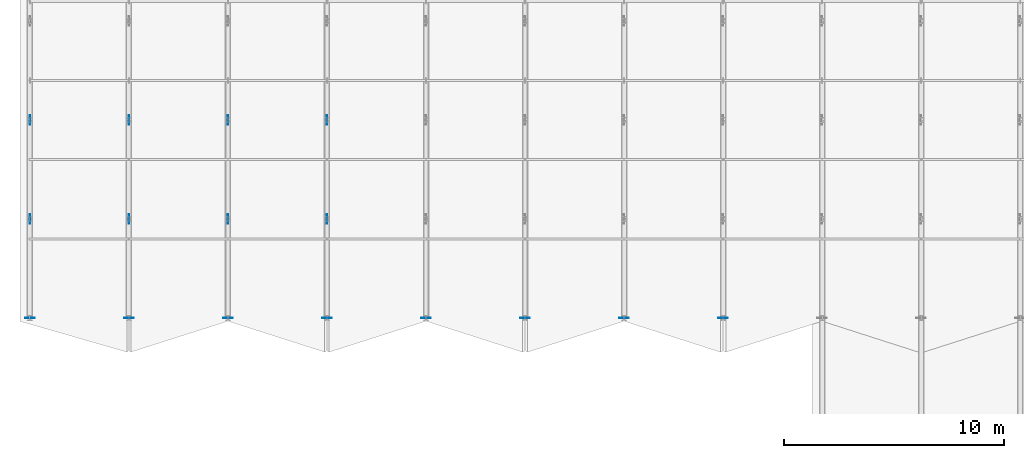
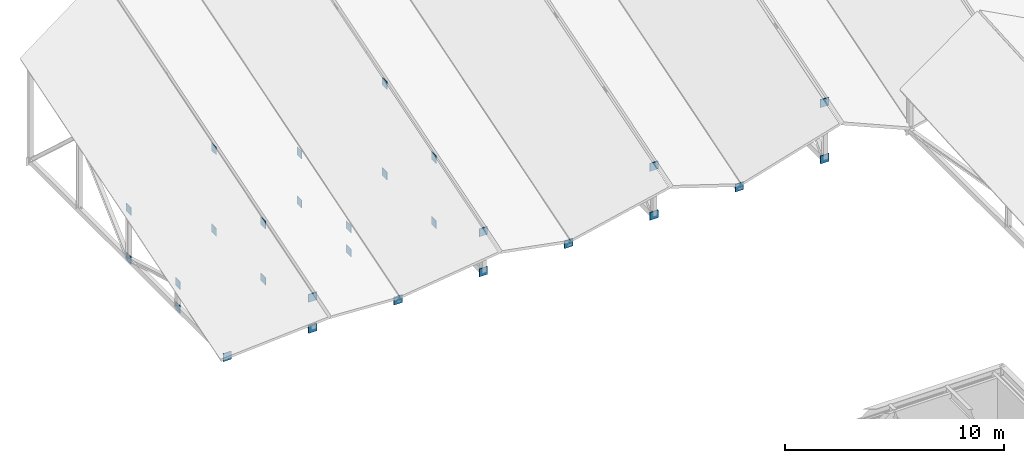
# One storey, part 117 of 142: 28 plates.
"""IFC4 building model written with IfcOpenShell, lengths in metres."""

from ifc_helpers import new_model, si_unit, direction, frame, origin, origin_2d, place, context, subcontext, project, spatial, rectangle, extrude, material, layer, layer_set, type_object, element, save


model = new_model("IFC4")

# Units and contexts
model_context = context("Model", 3, precision=1e-05, world=origin(), true_north=direction((0.0, 1.0)))
body_context = subcontext(model_context, "Body", "Model", "MODEL_VIEW")
ifc_project = project(units=[si_unit("LENGTHUNIT", "METRE"), si_unit("AREAUNIT", "SQUARE_METRE"), si_unit("VOLUMEUNIT", "CUBIC_METRE"), si_unit("PLANEANGLEUNIT", "RADIAN"), si_unit("MASSUNIT", "GRAM", prefix="KILO")], contexts=[model_context])

# Site, building, storey
site_placement = place(None, origin())
site = spatial("IfcSite", under=ifc_project, at=site_placement, CompositionType="ELEMENT")
building_placement = place(site_placement, origin())
building = spatial("IfcBuilding", under=site, at=building_placement, Name="Montelvaro Courts of Justice", CompositionType="ELEMENT")
storey_placement = place(building_placement, frame((0.0, 0.0, 14.39990234375)))
storey = spatial("IfcBuildingStorey", under=building, at=storey_placement, Name="L03", CompositionType="ELEMENT", Elevation=14.39990234375)

# Plates
ifc_material = material(Name="Steel S355", Category="steel")
ifc_layer_1 = layer(ifc_material, 0.035888671875)
ifc_layer_set_1 = layer_set([ifc_layer_1], Name="Steel S355")
plate_type_1 = type_object("IfcPlateType", Name="EndCapPlate_36", PredefinedType="USERDEFINED", material=ifc_layer_set_1)
for number, where, z_axis, x_axis, name in (
    (1, (18.0, 78.0, -0.519775390625), (0.0, 0.0, 1.0), (1.0, 0.0, 0.0), "Roof Truss End Cap Plate CP-02 ROOF-V1-VTR01-B0"),
    (2, (27.0, 78.0, -0.519775390625), (0.0, 0.0, 1.0), (1.0, 0.0, 0.0), "Roof Truss End Cap Plate CP-02 ROOF-V1-VTR02-B0"),
    (3, (36.0, 78.0, -0.519775390625), (0.0, 0.0, 1.0), (1.0, 0.0, 0.0), "Roof Truss End Cap Plate CP-02 ROOF-V1-VTR03-B0"),
    (4, (45.0, 78.0, -0.519775390625), (0.0, 0.0, 1.0), (1.0, 0.0, 0.0), "Roof Truss End Cap Plate CP-02 ROOF-V1-VTR04-B0"),
    (5, (22.5, 78.0, -0.519775390625), (0.0, 0.0, 1.0), (1.0, 0.0, 0.0), "Roof Truss End Cap Plate CP-02 ROOF-V1-RTR01-B0"),
    (6, (22.5, 78.0, 1.210205078125), (0.0, 0.0, 1.0), (1.0, 0.0, 0.0), "Roof Truss End Cap Plate CP-02 ROOF-V1-RTR01-T0"),
    (7, (31.5, 78.0, -0.519775390625), (0.0, 0.0, 1.0), (1.0, 0.0, 0.0), "Roof Truss End Cap Plate CP-02 ROOF-V1-RTR02-B0"),
    (8, (31.5, 78.0, 1.710205078125), (0.0, 0.0, 1.0), (1.0, 0.0, 0.0), "Roof Truss End Cap Plate CP-02 ROOF-V1-RTR02-T0"),
    (9, (40.5, 78.0, -0.519775390625), (0.0, 0.0, 1.0), (1.0, 0.0, 0.0), "Roof Truss End Cap Plate CP-02 ROOF-V1-RTR03-B0"),
    (10, (40.5, 78.0, 2.210205078125), (0.0, 0.0, 1.0), (1.0, 0.0, 0.0), "Roof Truss End Cap Plate CP-02 ROOF-V1-RTR03-T0"),
    (11, (49.5, 78.0, -0.519775390625), (0.0, 0.0, 1.0), (1.0, 0.0, 0.0), "Roof Truss End Cap Plate CP-02 ROOF-V1-RTR04-B0"),
    (12, (49.5, 78.0, 2.610107421875), (0.0, 0.0, 1.0), (1.0, 0.0, 0.0), "Roof Truss End Cap Plate CP-02 ROOF-V1-RTR04-T0"),
):
    element("IfcPlate", number, at=place(storey_placement, frame(where, z_axis=z_axis, x_axis=x_axis)), inside=storey, type_object=plate_type_1, Name=name, ObjectType="GUSSET PLATE", PredefinedType="USERDEFINED", context=body_context, shape_type="SweptSolid", body=[
        extrude(rectangle(XDim=0.43994140625, YDim=0.035888671875, at=origin_2d()), origin(), (0.0, 0.0, 1.0), 0.43994140625),
    ])
ifc_layer_2 = layer(ifc_material, 0.02001953125)
ifc_layer_set_2 = layer_set([ifc_layer_2], Name="Steel S355")
plate_type_2 = type_object("IfcPlateType", Name="GussetPlate_20", PredefinedType="USERDEFINED", material=ifc_layer_set_2)
for number, where, z_axis, x_axis, name in (
    (13, (18.0, 82.5, -0.519775390625), (0.0, 0.0, 1.0), (1.0, 0.0, 0.0), "Roof Truss Gusset Plate GP-01 ROOF-V1-VTR01-1B"),
    (14, (18.0, 82.5, 0.81005859375), (0.0, 0.0, 1.0), (1.0, 0.0, 0.0), "Roof Truss Gusset Plate GP-01 ROOF-V1-VTR01-1T"),
    (15, (18.0, 87.0, -0.519775390625), (0.0, 0.0, 1.0), (1.0, 0.0, 0.0), "Roof Truss Gusset Plate GP-01 ROOF-V1-VTR01-2B"),
    (16, (18.0, 87.0, 2.210205078125), (0.0, 0.0, 1.0), (1.0, 0.0, 0.0), "Roof Truss Gusset Plate GP-01 ROOF-V1-VTR01-2T"),
    (17, (27.0, 82.5, -0.519775390625), (0.0, 0.0, 1.0), (1.0, 0.0, 0.0), "Roof Truss Gusset Plate GP-01 ROOF-V1-VTR02-1B"),
    (18, (27.0, 82.5, 0.81005859375), (0.0, 0.0, 1.0), (1.0, 0.0, 0.0), "Roof Truss Gusset Plate GP-01 ROOF-V1-VTR02-1T"),
    (19, (27.0, 87.0, -0.519775390625), (0.0, 0.0, 1.0), (1.0, 0.0, 0.0), "Roof Truss Gusset Plate GP-01 ROOF-V1-VTR02-2B"),
    (20, (27.0, 87.0, 2.210205078125), (0.0, 0.0, 1.0), (1.0, 0.0, 0.0), "Roof Truss Gusset Plate GP-01 ROOF-V1-VTR02-2T"),
    (21, (22.5, 82.5, -0.519775390625), (0.0, 0.0, 1.0), (1.0, 0.0, 0.0), "Roof Truss Gusset Plate GP-01 ROOF-V1-RTR01-1B"),
    (22, (22.5, 82.5, 2.610107421875), (0.0, 0.0, 1.0), (1.0, 0.0, 0.0), "Roof Truss Gusset Plate GP-01 ROOF-V1-RTR01-1T"),
    (23, (22.5, 87.0, -0.519775390625), (0.0, 0.0, 1.0), (1.0, 0.0, 0.0), "Roof Truss Gusset Plate GP-01 ROOF-V1-RTR01-2B"),
    (24, (22.5, 87.0, 4.010009765625), (0.0, 0.0, 1.0), (1.0, 0.0, 0.0), "Roof Truss Gusset Plate GP-01 ROOF-V1-RTR01-2T"),
    (25, (31.5, 82.5, -0.519775390625), (0.0, 0.0, 1.0), (1.0, 0.0, 0.0), "Roof Truss Gusset Plate GP-01 ROOF-V1-RTR02-1B"),
    (26, (31.5, 82.5, 3.110107421875), (0.0, 0.0, 1.0), (1.0, 0.0, 0.0), "Roof Truss Gusset Plate GP-01 ROOF-V1-RTR02-1T"),
    (27, (31.5, 87.0, -0.519775390625), (0.0, 0.0, 1.0), (1.0, 0.0, 0.0), "Roof Truss Gusset Plate GP-01 ROOF-V1-RTR02-2B"),
    (28, (31.5, 87.0, 4.510009765625), (0.0, 0.0, 1.0), (1.0, 0.0, 0.0), "Roof Truss Gusset Plate GP-01 ROOF-V1-RTR02-2T"),
):
    element("IfcPlate", number, at=place(storey_placement, frame(where, z_axis=z_axis, x_axis=x_axis)), inside=storey, type_object=plate_type_2, Name=name, ObjectType="GUSSET PLATE", PredefinedType="USERDEFINED", context=body_context, shape_type="SweptSolid", body=[
        extrude(rectangle(XDim=0.02001953125, YDim=0.43994140625, at=origin_2d()), origin(), (0.0, 0.0, 1.0), 0.43994140625),
    ])

save(model, "model.ifc")
